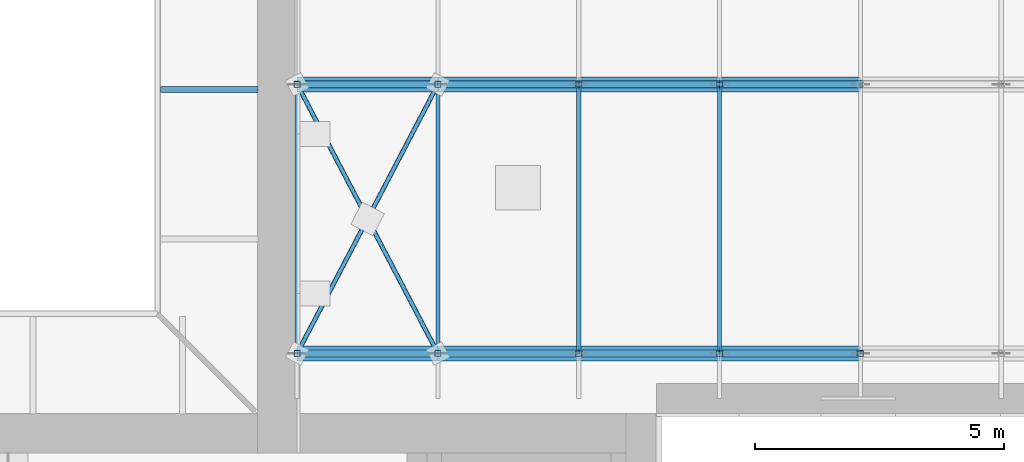
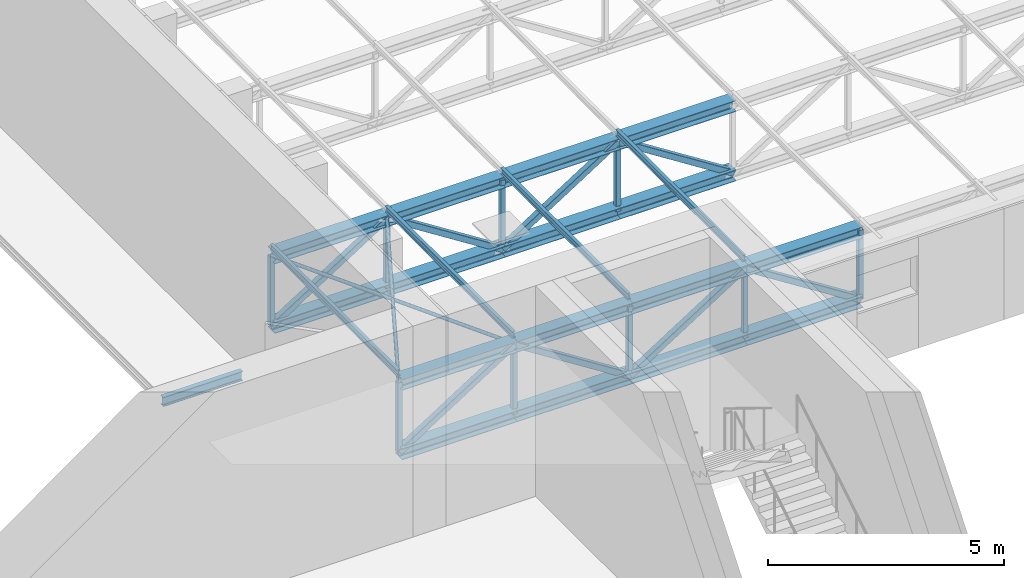
# One storey, part 33 of 132: 41 members.
"""IFC4 building model written with IfcOpenShell, lengths in metres."""

from ifc_helpers import new_model, si_unit, direction, frame, origin, origin_2d, place, context, subcontext, project, spatial, hollow_rectangle, hollow_circle, i_section, extrude, material, material_profile, profile_set, type_object, element, save


model = new_model("IFC4")

# Units and contexts
model_context = context("Model", 3, precision=1e-05, world=origin(), true_north=direction((0.0, 1.0)))
body_context = subcontext(model_context, "Body", "Model", "MODEL_VIEW")
ifc_project = project(units=[si_unit("LENGTHUNIT", "METRE"), si_unit("AREAUNIT", "SQUARE_METRE"), si_unit("VOLUMEUNIT", "CUBIC_METRE"), si_unit("PLANEANGLEUNIT", "RADIAN"), si_unit("MASSUNIT", "GRAM", prefix="KILO")], contexts=[model_context])

# Site, building, storey
site_placement = place(None, origin())
site = spatial("IfcSite", under=ifc_project, at=site_placement, CompositionType="ELEMENT")
building_placement = place(site_placement, origin())
building = spatial("IfcBuilding", under=site, at=building_placement, Name="Lunette Opera House", CompositionType="ELEMENT")
storey_placement = place(building_placement, frame((0.0, 0.0, 17.0)))
storey = spatial("IfcBuildingStorey", under=building, at=storey_placement, Name="L03", CompositionType="ELEMENT", Elevation=17.0)

# Members
ifc_material_1 = material(Name="Steel S355", Category="steel")
ifc_material_profile_1 = material_profile(ifc_material_1, hollow_circle(Radius=0.04443359375, WallThickness=0.00390625, at=origin_2d()), Name="CHS 88.9X4")
ifc_profile_set_1 = profile_set([ifc_material_profile_1], Name="Steel S355")
member_type_1 = type_object("IfcMemberType", Name="BRACING CHS 88.9X4", PredefinedType="BRACE", material=ifc_profile_set_1)
member_1_placement = place(storey_placement, frame((108.800048828125, 97.199951171875, 2.574951171875), z_axis=(0.463530915667, 0.886080747009, 0.0), x_axis=(-0.886080747009, 0.463530915667, 0.0)))
element("IfcMember", 1, at=member_1_placement, inside=storey, type_object=member_type_1, Name="mem-ST-L03-SE-TR-BRQ1P1A", PredefinedType="BRACE", context=body_context, shape_type="SweptSolid", body=[
    extrude(hollow_circle(Radius=0.04443359375, WallThickness=0.00390625, at=origin_2d()), origin(), (0.0, 0.0, 1.0), 6.094482421875),
])
member_2_placement = place(storey_placement, frame((111.625, 97.199951171875, 2.574951171875), z_axis=(-0.463453002993, 0.886121500708, 0.0), x_axis=(-0.886121500708, -0.463453002993, 0.0)))
element("IfcMember", 2, at=member_2_placement, inside=storey, type_object=member_type_1, Name="mem-ST-L03-SE-TR-BRQ1P1B segment 1", PredefinedType="BRACE", context=body_context, shape_type="SweptSolid", body=[
    extrude(hollow_circle(Radius=0.04443359375, WallThickness=0.00390625, at=origin_2d()), origin(), (0.0, 0.0, 1.0), 3.046875),
])
member_3_placement = place(storey_placement, frame((110.212890625, 99.89990234375, 2.574951171875), z_axis=(-0.463608810549, 0.886039993895, 0.0), x_axis=(-0.886039993895, -0.463608810549, 0.0)))
element("IfcMember", 3, at=member_3_placement, inside=storey, type_object=member_type_1, Name="mem-ST-L03-SE-TR-BRQ1P1B segment 2", PredefinedType="BRACE", context=body_context, shape_type="SweptSolid", body=[
    extrude(hollow_circle(Radius=0.04443359375, WallThickness=0.00390625, at=origin_2d()), origin(), (0.0, 0.0, 1.0), 3.047607421875),
])
ifc_material_2 = material(Name="Steel S355", Category="steel")
ifc_material_profile_2 = material_profile(ifc_material_2, i_section(OverallWidth=0.1201171875, OverallDepth=0.239990234375, WebThickness=0.006103515625, FlangeThickness=0.009765625, FilletRadius=0.014892578125, at=origin_2d()), Name="IPE 240")
ifc_profile_set_2 = profile_set([ifc_material_profile_2], Name="Steel S355")
member_type_2 = type_object("IfcMemberType", Name="BRACKET IPE 240", PredefinedType="MEMBER", material=ifc_profile_set_2)
member_4_placement = place(storey_placement, frame((108.010009765625, 102.5, -0.179931640625), z_axis=(-1.0, 0.0, 0.0), x_axis=(0.0, -1.0, 0.0)))
element("IfcMember", 4, at=member_4_placement, inside=storey, type_object=member_type_2, Name="mem-ST-L03-FG2-BKE1080-1025", PredefinedType="MEMBER", context=body_context, shape_type="SweptSolid", body=[
    extrude(i_section(OverallWidth=0.1201171875, OverallDepth=0.239990234375, WebThickness=0.006103515625, FlangeThickness=0.009765625, FilletRadius=0.014892578125, at=origin_2d()), origin(), (0.0, 0.0, 1.0), 1.949951171875),
])
ifc_material_3 = material(Name="Steel S355", Category="steel")
ifc_material_profile_3 = material_profile(ifc_material_3, i_section(OverallWidth=0.300048828125, OverallDepth=0.2900390625, WebThickness=0.008544921875, FlangeThickness=0.013916015625, FilletRadius=0.027099609375, at=origin_2d()), Name="HEA 300")
ifc_profile_set_3 = profile_set([ifc_material_profile_3], Name="Steel S355")
member_type_3 = type_object("IfcMemberType", Name="CHORD HEA 300", PredefinedType="CHORD", material=ifc_profile_set_3)
for number, where, z_axis, x_axis, name in (
    (5, (108.800048828125, 97.199951171875, 2.574951171875), (1.0, 0.0, 0.0), (0.0, 1.0, 0.0), "mem-ST-L03-SE-TR01-TC1"),
    (6, (108.800048828125, 97.199951171875, 0.77490234375), (1.0, 0.0, 0.0), (0.0, 1.0, 0.0), "mem-ST-L03-SE-TR01-BC1"),
    (7, (111.625, 97.199951171875, 2.574951171875), (1.0, 0.0, 0.0), (0.0, 1.0, 0.0), "mem-ST-L03-SE-TR01-TC2"),
    (8, (111.625, 97.199951171875, 0.77490234375), (1.0, 0.0, 0.0), (0.0, 1.0, 0.0), "mem-ST-L03-SE-TR01-BC2"),
    (9, (114.449951171875, 97.199951171875, 2.574951171875), (1.0, 0.0, 0.0), (0.0, 1.0, 0.0), "mem-ST-L03-SE-TR01-TC3"),
    (10, (114.449951171875, 97.199951171875, 0.77490234375), (1.0, 0.0, 0.0), (0.0, 1.0, 0.0), "mem-ST-L03-SE-TR01-BC3"),
):
    element("IfcMember", number, at=place(storey_placement, frame(where, z_axis=z_axis, x_axis=x_axis)), inside=storey, type_object=member_type_3, Name=name, PredefinedType="CHORD", context=body_context, shape_type="SweptSolid", body=[
        extrude(i_section(OverallWidth=0.300048828125, OverallDepth=0.2900390625, WebThickness=0.008544921875, FlangeThickness=0.013916015625, FilletRadius=0.027099609375, at=origin_2d()), origin(), (0.0, 0.0, 1.0), 2.824951171875),
    ])
for number, where, z_axis, x_axis, name in (
    (11, (117.27490234375, 97.199951171875, 2.574951171875), (1.0, 0.0, 0.0), (0.0, 1.0, 0.0), "mem-ST-L03-SE-TR01-TC4"),
    (12, (117.27490234375, 97.199951171875, 0.77490234375), (1.0, 0.0, 0.0), (0.0, 1.0, 0.0), "mem-ST-L03-SE-TR01-BC4"),
):
    element("IfcMember", number, at=place(storey_placement, frame(where, z_axis=z_axis, x_axis=x_axis)), inside=storey, type_object=member_type_3, Name=name, PredefinedType="CHORD", context=body_context, shape_type="SweptSolid", body=[
        extrude(i_section(OverallWidth=0.300048828125, OverallDepth=0.2900390625, WebThickness=0.008544921875, FlangeThickness=0.013916015625, FilletRadius=0.027099609375, at=origin_2d()), origin(), (0.0, 0.0, 1.0), 2.8251953125),
    ])
for number, where, z_axis, x_axis, name in (
    (13, (108.800048828125, 102.60009765625, 2.574951171875), (1.0, 0.0, 0.0), (0.0, 1.0, 0.0), "mem-ST-L03-SE-TR02-TC1"),
    (14, (108.800048828125, 102.60009765625, 0.77490234375), (1.0, 0.0, 0.0), (0.0, 1.0, 0.0), "mem-ST-L03-SE-TR02-BC1"),
    (15, (111.625, 102.60009765625, 2.574951171875), (1.0, 0.0, 0.0), (0.0, 1.0, 0.0), "mem-ST-L03-SE-TR02-TC2"),
    (16, (111.625, 102.60009765625, 0.77490234375), (1.0, 0.0, 0.0), (0.0, 1.0, 0.0), "mem-ST-L03-SE-TR02-BC2"),
    (17, (114.449951171875, 102.60009765625, 2.574951171875), (1.0, 0.0, 0.0), (0.0, 1.0, 0.0), "mem-ST-L03-SE-TR02-TC3"),
    (18, (114.449951171875, 102.60009765625, 0.77490234375), (1.0, 0.0, 0.0), (0.0, 1.0, 0.0), "mem-ST-L03-SE-TR02-BC3"),
):
    element("IfcMember", number, at=place(storey_placement, frame(where, z_axis=z_axis, x_axis=x_axis)), inside=storey, type_object=member_type_3, Name=name, PredefinedType="CHORD", context=body_context, shape_type="SweptSolid", body=[
        extrude(i_section(OverallWidth=0.300048828125, OverallDepth=0.2900390625, WebThickness=0.008544921875, FlangeThickness=0.013916015625, FilletRadius=0.027099609375, at=origin_2d()), origin(), (0.0, 0.0, 1.0), 2.824951171875),
    ])
for number, where, z_axis, x_axis, name in (
    (19, (117.27490234375, 102.60009765625, 2.574951171875), (1.0, 0.0, 0.0), (0.0, 1.0, 0.0), "mem-ST-L03-SE-TR02-TC4"),
    (20, (117.27490234375, 102.60009765625, 0.77490234375), (1.0, 0.0, 0.0), (0.0, 1.0, 0.0), "mem-ST-L03-SE-TR02-BC4"),
):
    element("IfcMember", number, at=place(storey_placement, frame(where, z_axis=z_axis, x_axis=x_axis)), inside=storey, type_object=member_type_3, Name=name, PredefinedType="CHORD", context=body_context, shape_type="SweptSolid", body=[
        extrude(i_section(OverallWidth=0.300048828125, OverallDepth=0.2900390625, WebThickness=0.008544921875, FlangeThickness=0.013916015625, FilletRadius=0.027099609375, at=origin_2d()), origin(), (0.0, 0.0, 1.0), 2.8251953125),
    ])
ifc_material_4 = material(Name="Steel S355", Category="steel")
ifc_material_profile_4 = material_profile(ifc_material_4, hollow_rectangle(XDim=0.14990234375, YDim=0.14990234375, WallThickness=0.006103515625, InnerFilletRadius=0.006103515625, OuterFilletRadius=0.011962890625, at=origin_2d()), Name="RHS 150X150X6")
ifc_profile_set_4 = profile_set([ifc_material_profile_4], Name="Steel S355")
member_type_4 = type_object("IfcMemberType", Name="DIAGONAL RHS 150X150X6", PredefinedType="BRACE", material=ifc_profile_set_4)
for number, where, z_axis, x_axis, name in (
    (21, (108.800048828125, 97.199951171875, 0.77490234375), (0.843343221477, 0.0, 0.537375297896), (0.0, 1.0, 0.0), "mem-ST-L03-SE-TR01-TD1"),
    (22, (111.625, 97.199951171875, 2.574951171875), (0.843343221477, 0.0, -0.537375297896), (0.0, 1.0, 0.0), "mem-ST-L03-SE-TR01-TD2"),
    (23, (114.449951171875, 97.199951171875, 0.77490234375), (0.843343221477, 0.0, 0.537375297896), (0.0, 1.0, 0.0), "mem-ST-L03-SE-TR01-TD3"),
):
    element("IfcMember", number, at=place(storey_placement, frame(where, z_axis=z_axis, x_axis=x_axis)), inside=storey, type_object=member_type_4, Name=name, PredefinedType="BRACE", context=body_context, shape_type="SweptSolid", body=[
        extrude(hollow_rectangle(XDim=0.14990234375, YDim=0.14990234375, WallThickness=0.006103515625, InnerFilletRadius=0.006103515625, OuterFilletRadius=0.011962890625, at=origin_2d()), origin(), (0.0, 0.0, 1.0), 3.349609375),
    ])
member_5_placement = place(storey_placement, frame((117.27490234375, 97.199951171875, 2.574951171875), z_axis=(0.843364266472, 0.0, -0.537342268985), x_axis=(0.0, 1.0, 0.0)))
element("IfcMember", 24, at=member_5_placement, inside=storey, type_object=member_type_4, Name="mem-ST-L03-SE-TR01-TD4", PredefinedType="BRACE", context=body_context, shape_type="SweptSolid", body=[
    extrude(hollow_rectangle(XDim=0.14990234375, YDim=0.14990234375, WallThickness=0.006103515625, InnerFilletRadius=0.006103515625, OuterFilletRadius=0.011962890625, at=origin_2d()), origin(), (0.0, 0.0, 1.0), 3.349853515625),
])
for number, where, z_axis, x_axis, name in (
    (25, (108.800048828125, 102.60009765625, 0.77490234375), (0.843343221477, 0.0, 0.537375297896), (0.0, 1.0, 0.0), "mem-ST-L03-SE-TR02-TD1"),
    (26, (111.625, 102.60009765625, 2.574951171875), (0.843343221477, 0.0, -0.537375297896), (0.0, 1.0, 0.0), "mem-ST-L03-SE-TR02-TD2"),
    (27, (114.449951171875, 102.60009765625, 0.77490234375), (0.843343221477, 0.0, 0.537375297896), (0.0, 1.0, 0.0), "mem-ST-L03-SE-TR02-TD3"),
):
    element("IfcMember", number, at=place(storey_placement, frame(where, z_axis=z_axis, x_axis=x_axis)), inside=storey, type_object=member_type_4, Name=name, PredefinedType="BRACE", context=body_context, shape_type="SweptSolid", body=[
        extrude(hollow_rectangle(XDim=0.14990234375, YDim=0.14990234375, WallThickness=0.006103515625, InnerFilletRadius=0.006103515625, OuterFilletRadius=0.011962890625, at=origin_2d()), origin(), (0.0, 0.0, 1.0), 3.349609375),
    ])
member_6_placement = place(storey_placement, frame((117.27490234375, 102.60009765625, 2.574951171875), z_axis=(0.843364266472, 0.0, -0.537342268985), x_axis=(0.0, 1.0, 0.0)))
element("IfcMember", 28, at=member_6_placement, inside=storey, type_object=member_type_4, Name="mem-ST-L03-SE-TR02-TD4", PredefinedType="BRACE", context=body_context, shape_type="SweptSolid", body=[
    extrude(hollow_rectangle(XDim=0.14990234375, YDim=0.14990234375, WallThickness=0.006103515625, InnerFilletRadius=0.006103515625, OuterFilletRadius=0.011962890625, at=origin_2d()), origin(), (0.0, 0.0, 1.0), 3.349853515625),
])
ifc_material_5 = material(Name="Steel S355", Category="steel")
ifc_material_profile_5 = material_profile(ifc_material_5, i_section(OverallWidth=0.08203125, OverallDepth=0.159912109375, WebThickness=0.0048828125, FlangeThickness=0.00732421875, FilletRadius=0.009033203125, at=origin_2d()), Name="IPE 160")
ifc_profile_set_5 = profile_set([ifc_material_profile_5], Name="Steel S355")
member_type_5 = type_object("IfcMemberType", Name="PURLIN IPE 160", PredefinedType="PURLIN", material=ifc_profile_set_5)
for number, where, z_axis, x_axis, name in (
    (29, (108.800048828125, 97.199951171875, 2.800048828125), (0.0, 1.0, 0.0), (-1.0, 0.0, 0.0), "mem-ST-L03-SE-TR-PU1-2"),
    (30, (111.625, 97.199951171875, 2.800048828125), (0.0, 1.0, 0.0), (-1.0, 0.0, 0.0), "mem-ST-L03-SE-TR-PU2-2"),
    (31, (114.449951171875, 97.199951171875, 2.800048828125), (0.0, 1.0, 0.0), (-1.0, 0.0, 0.0), "mem-ST-L03-SE-TR-PU3-2"),
    (32, (117.27490234375, 97.199951171875, 2.800048828125), (0.0, 1.0, 0.0), (-1.0, 0.0, 0.0), "mem-ST-L03-SE-TR-PU4-2"),
):
    element("IfcMember", number, at=place(storey_placement, frame(where, z_axis=z_axis, x_axis=x_axis)), inside=storey, type_object=member_type_5, Name=name, PredefinedType="PURLIN", context=body_context, shape_type="SweptSolid", body=[
        extrude(i_section(OverallWidth=0.08203125, OverallDepth=0.159912109375, WebThickness=0.0048828125, FlangeThickness=0.00732421875, FilletRadius=0.009033203125, at=origin_2d()), origin(), (0.0, 0.0, 1.0), 5.400146484375),
    ])
ifc_material_6 = material(Name="Steel S355", Category="steel")
ifc_material_profile_6 = material_profile(ifc_material_6, hollow_rectangle(XDim=0.1201171875, YDim=0.1201171875, WallThickness=0.0048828125, InnerFilletRadius=0.0048828125, OuterFilletRadius=0.010009765625, at=origin_2d()), Name="RHS 120X120X5")
ifc_profile_set_6 = profile_set([ifc_material_profile_6], Name="Steel S355")
member_type_6 = type_object("IfcMemberType", Name="VERTICAL RHS 120X120X5", PredefinedType="POST", material=ifc_profile_set_6)
for number, where, z_axis, x_axis, name in (
    (33, (108.800048828125, 97.199951171875, 0.77490234375), (0.0, 0.0, 1.0), (1.0, 0.0, 0.0), "mem-ST-L03-SE-TR01-TV1"),
    (34, (111.625, 97.199951171875, 0.77490234375), (0.0, 0.0, 1.0), (1.0, 0.0, 0.0), "mem-ST-L03-SE-TR01-TV2"),
    (35, (114.449951171875, 97.199951171875, 0.77490234375), (0.0, 0.0, 1.0), (1.0, 0.0, 0.0), "mem-ST-L03-SE-TR01-TV3"),
    (36, (117.27490234375, 97.199951171875, 0.77490234375), (0.0, 0.0, 1.0), (1.0, 0.0, 0.0), "mem-ST-L03-SE-TR01-TV4"),
    (37, (120.10009765625, 97.199951171875, 0.77490234375), (0.0, 0.0, 1.0), (1.0, 0.0, 0.0), "mem-ST-L03-SE-TR01-TV5"),
    (38, (108.800048828125, 102.60009765625, 0.77490234375), (0.0, 0.0, 1.0), (1.0, 0.0, 0.0), "mem-ST-L03-SE-TR02-TV1"),
    (39, (111.625, 102.60009765625, 0.77490234375), (0.0, 0.0, 1.0), (1.0, 0.0, 0.0), "mem-ST-L03-SE-TR02-TV2"),
    (40, (114.449951171875, 102.60009765625, 0.77490234375), (0.0, 0.0, 1.0), (1.0, 0.0, 0.0), "mem-ST-L03-SE-TR02-TV3"),
    (41, (117.27490234375, 102.60009765625, 0.77490234375), (0.0, 0.0, 1.0), (1.0, 0.0, 0.0), "mem-ST-L03-SE-TR02-TV4"),
):
    element("IfcMember", number, at=place(storey_placement, frame(where, z_axis=z_axis, x_axis=x_axis)), inside=storey, type_object=member_type_6, Name=name, PredefinedType="POST", context=body_context, shape_type="SweptSolid", body=[
        extrude(hollow_rectangle(XDim=0.1201171875, YDim=0.1201171875, WallThickness=0.0048828125, InnerFilletRadius=0.0048828125, OuterFilletRadius=0.010009765625, at=origin_2d()), origin(), (0.0, 0.0, 1.0), 1.800048828125),
    ])

save(model, "model.ifc")
